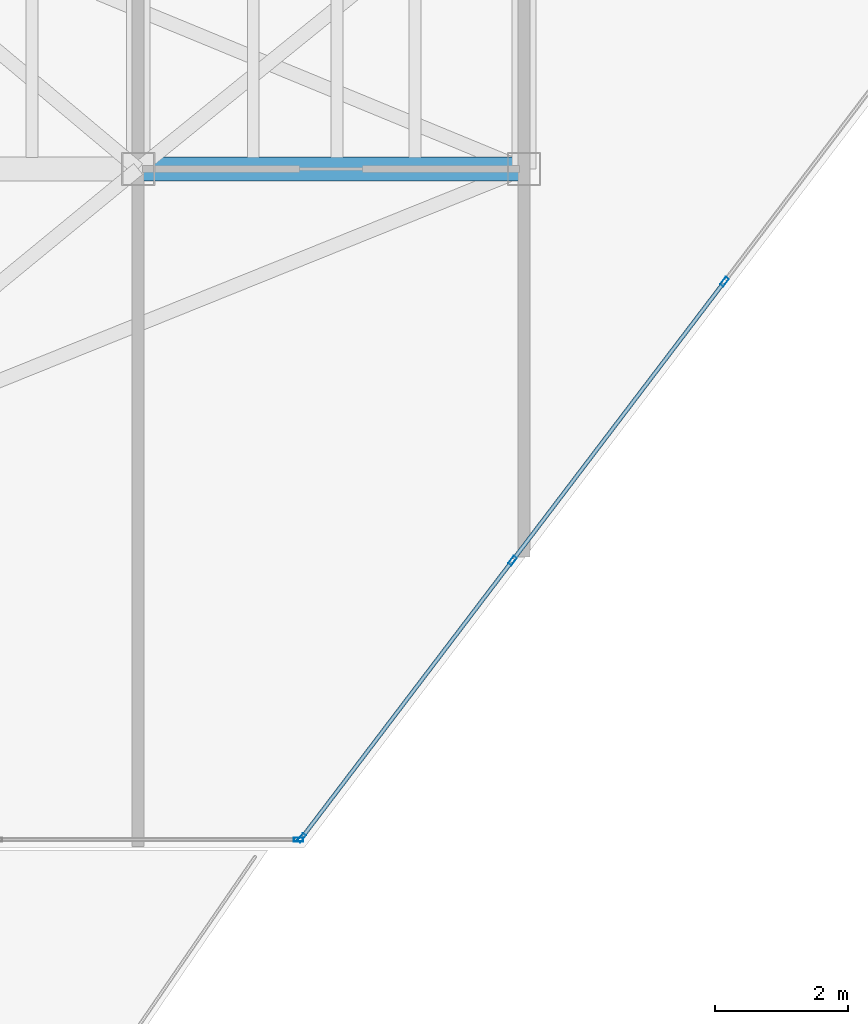
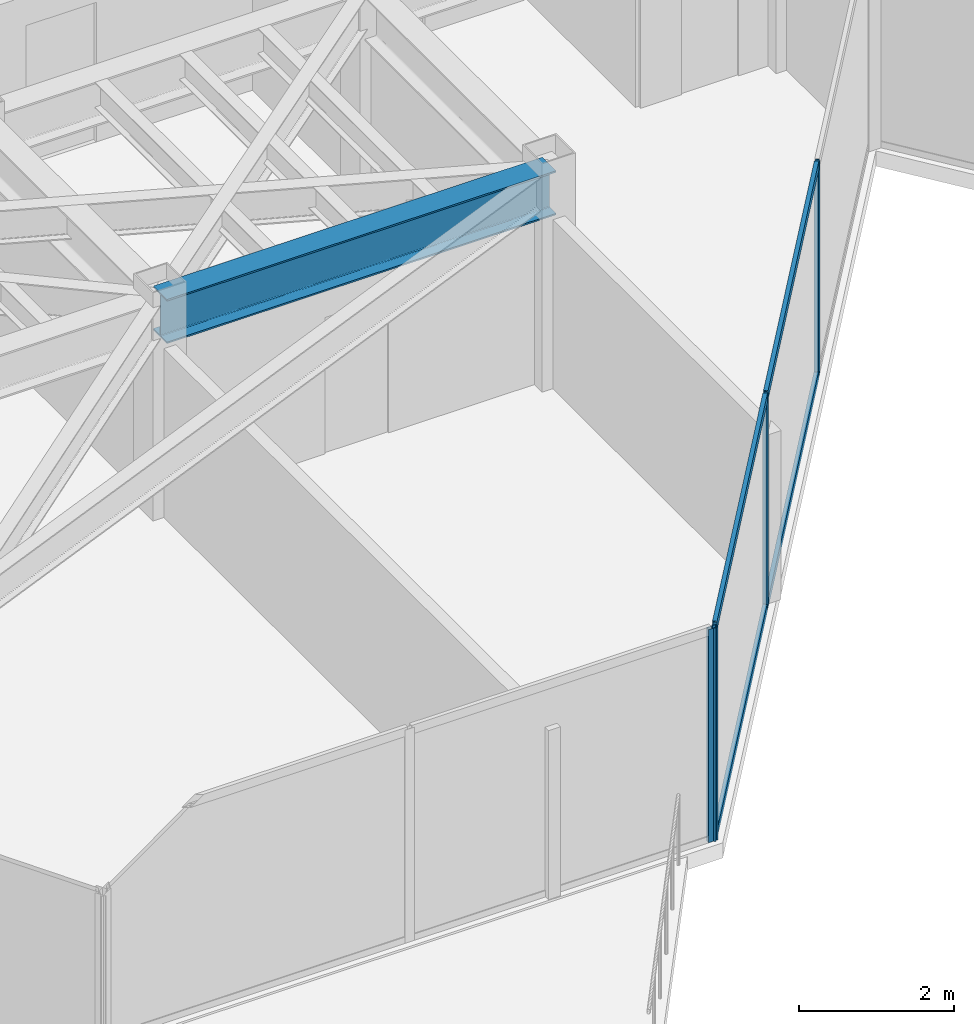
# One storey, part 4 of 21: 8 members, 1 beam, 2 elements without a shape of their own.
"""IFC4 building model written with IfcOpenShell, lengths in metres."""

from ifc_helpers import new_model, si_unit, direction, frame, origin, origin_2d, place, context, subcontext, project, spatial, hollow_rectangle, i_section, extrude, material, layer, layer_set, material_profile, profile_set, type_object, element, aggregate, save


model = new_model("IFC4")

# Units and contexts
model_context = context("Model", 3, precision=1e-05, world=origin(), true_north=direction((0.0, 1.0)))
body_context = subcontext(model_context, "Body", "Model", "MODEL_VIEW")
ifc_project = project(units=[si_unit("LENGTHUNIT", "METRE"), si_unit("AREAUNIT", "SQUARE_METRE"), si_unit("VOLUMEUNIT", "CUBIC_METRE"), si_unit("PLANEANGLEUNIT", "RADIAN"), si_unit("MASSUNIT", "GRAM", prefix="KILO")], contexts=[model_context])

# Site, building, storey
site_placement = place(None, origin())
site = spatial("IfcSite", under=ifc_project, at=site_placement, CompositionType="ELEMENT")
building_placement = place(site_placement, origin())
building = spatial("IfcBuilding", under=site, at=building_placement, Name="Kravanh Interchange Tower", CompositionType="ELEMENT")
storey_placement = place(building_placement, frame((0.0, 0.0, 231.0)))
storey = spatial("IfcBuildingStorey", under=building, at=storey_placement, Name="L55", CompositionType="ELEMENT", Elevation=231.0)

# Curtain wall, members
ifc_material_1 = material(Name="Anodised Bronze Aluminium", Category="aluminium")
ifc_layer = layer(ifc_material_1, 0.179931640625)
ifc_layer_set = layer_set([ifc_layer], Name="Unitised Curtain Wall System CW-HTL Luxury Hotel")
curtain_wall_type = type_object("IfcCurtainWallType", Name="Unitised Curtain Wall System CW-HTL Luxury Hotel", PredefinedType="NOTDEFINED", material=ifc_layer_set)
curtain_wall_1_placement = place(storey_placement, origin())
curtain_wall_1 = element("IfcCurtainWall", 1, at=curtain_wall_1_placement, inside=storey, type_object=curtain_wall_type, Name="L55 Unitised Curtain Wall CW-L55-05", PredefinedType="NOTDEFINED")
ifc_material_2 = material(Name="Anodised Bronze Aluminium", Category="aluminium")
ifc_material_profile_1 = material_profile(ifc_material_2, hollow_rectangle(XDim=0.06005859375, YDim=0.139892578125, WallThickness=0.00390625, at=origin_2d()), Name="ALU60X140X4")
ifc_profile_set_1 = profile_set([ifc_material_profile_1], Name="Anodised Bronze Aluminium")
member_type_1 = type_object("IfcMemberType", Name="Curtain Wall Mullion ALU60X140X4 Bronze", PredefinedType="MULLION", material=ifc_profile_set_1)
member_1_placement = place(storey_placement, frame((41.613525390625, 25.10546875, 0.0), z_axis=(0.0, 0.0, 1.0), x_axis=(0.79616243806, -0.605082946564, 0.0)))
member_1 = element("IfcMember", 2, at=member_1_placement, type_object=member_type_1, Name="CW-HTL mullion 2", PredefinedType="MULLION", context=body_context, shape_type="SweptSolid", body=[
    extrude(hollow_rectangle(XDim=0.06005859375, YDim=0.139892578125, WallThickness=0.00390625, at=origin_2d()), origin(), (0.0, 0.0, 1.0), 3.360107421875),
])
member_2_placement = place(storey_placement, frame((38.427001953125, 20.912841796875, 0.0), z_axis=(0.0, 0.0, 1.0), x_axis=(0.79616243806, -0.605082946564, 0.0)))
member_2 = element("IfcMember", 3, at=member_2_placement, type_object=member_type_1, Name="CW-HTL mullion 3", PredefinedType="MULLION", context=body_context, shape_type="SweptSolid", body=[
    extrude(hollow_rectangle(XDim=0.06005859375, YDim=0.139892578125, WallThickness=0.00390625, at=origin_2d()), origin(), (0.0, 0.0, 1.0), 3.360107421875),
])
member_3_placement = place(storey_placement, frame((35.258544921875, 16.743896484375, 0.0), z_axis=(0.0, 0.0, 1.0), x_axis=(0.79616243806, -0.605082946564, 0.0)))
member_3 = element("IfcMember", 4, at=member_3_placement, type_object=member_type_1, Name="CW-HTL mullion 4", PredefinedType="MULLION", context=body_context, shape_type="SweptSolid", body=[
    extrude(hollow_rectangle(XDim=0.06005859375, YDim=0.139892578125, WallThickness=0.00390625, at=origin_2d()), origin(), (0.0, 0.0, 1.0), 3.360107421875),
])

# Curtain wall, member
curtain_wall_2_placement = place(storey_placement, origin())
curtain_wall_2 = element("IfcCurtainWall", 5, at=curtain_wall_2_placement, inside=storey, type_object=curtain_wall_type, Name="L55 Unitised Curtain Wall CW-L55-06", PredefinedType="NOTDEFINED")
member_4_placement = place(storey_placement, frame((35.21044921875, 16.719970703125, 0.0), z_axis=(0.0, 0.0, 1.0), x_axis=(0.0, -1.0, 0.0)))
member_4 = element("IfcMember", 6, at=member_4_placement, type_object=member_type_1, Name="CW-HTL mullion 1", PredefinedType="MULLION", context=body_context, shape_type="SweptSolid", body=[
    extrude(hollow_rectangle(XDim=0.06005859375, YDim=0.139892578125, WallThickness=0.00390625, at=origin_2d()), origin(), (0.0, 0.0, 1.0), 3.360107421875),
])
aggregate(curtain_wall_2, [member_4])

# Member
ifc_material_3 = material(Name="Anodised Bronze Aluminium", Category="aluminium")
ifc_material_profile_2 = material_profile(ifc_material_3, hollow_rectangle(XDim=0.06005859375, YDim=0.139892578125, WallThickness=0.00390625, at=origin_2d()), Name="ALU60X140X4")
ifc_profile_set_2 = profile_set([ifc_material_profile_2], Name="Anodised Bronze Aluminium")
member_type_2 = type_object("IfcMemberType", Name="Curtain Wall Transom ALU60X140X4 Bronze", PredefinedType="USERDEFINED", material=ifc_profile_set_2)
member_5_placement = place(storey_placement, frame((41.595458984375, 25.08154296875, 0.030029296875), z_axis=(-0.605127259975, -0.79612875795, 0.0), x_axis=(0.79612875795, -0.605127259975, 0.0)))
member_5 = element("IfcMember", 7, at=member_5_placement, type_object=member_type_2, Name="CW-HTL transom 2.1", ObjectType="TRANSOM", PredefinedType="USERDEFINED", context=body_context, shape_type="SweptSolid", body=[
    extrude(hollow_rectangle(XDim=0.06005859375, YDim=0.139892578125, WallThickness=0.00390625, at=origin_2d()), origin(), (0.0, 0.0, 1.0), 5.2060546875),
])

member_6_placement = place(storey_placement, frame((41.595458984375, 25.08154296875, 3.330078125), z_axis=(-0.605127259975, -0.79612875795, 0.0), x_axis=(0.79612875795, -0.605127259975, 0.0)))
member_6 = element("IfcMember", 8, at=member_6_placement, type_object=member_type_2, Name="CW-HTL transom 2.2", ObjectType="TRANSOM", PredefinedType="USERDEFINED", context=body_context, shape_type="SweptSolid", body=[
    extrude(hollow_rectangle(XDim=0.06005859375, YDim=0.139892578125, WallThickness=0.00390625, at=origin_2d()), origin(), (0.0, 0.0, 1.0), 5.2060546875),
])

member_7_placement = place(storey_placement, frame((38.408935546875, 20.888916015625, 0.030029296875), z_axis=(-0.605089246946, -0.796157649734, 0.0), x_axis=(0.796157649734, -0.605089246946, 0.0)))
member_7 = element("IfcMember", 9, at=member_7_placement, type_object=member_type_2, Name="CW-HTL transom 3.1", ObjectType="TRANSOM", PredefinedType="USERDEFINED", context=body_context, shape_type="SweptSolid", body=[
    extrude(hollow_rectangle(XDim=0.06005859375, YDim=0.139892578125, WallThickness=0.00390625, at=origin_2d()), origin(), (0.0, 0.0, 1.0), 5.17626953125),
])

member_8_placement = place(storey_placement, frame((38.408935546875, 20.888916015625, 3.330078125), z_axis=(-0.605089246946, -0.796157649734, 0.0), x_axis=(0.796157649734, -0.605089246946, 0.0)))
member_8 = element("IfcMember", 10, at=member_8_placement, type_object=member_type_2, Name="CW-HTL transom 3.2", ObjectType="TRANSOM", PredefinedType="USERDEFINED", context=body_context, shape_type="SweptSolid", body=[
    extrude(hollow_rectangle(XDim=0.06005859375, YDim=0.139892578125, WallThickness=0.00390625, at=origin_2d()), origin(), (0.0, 0.0, 1.0), 5.17626953125),
])

aggregate(curtain_wall_1, [member_1, member_2, member_3, member_5, member_6, member_7, member_8])

# Beam
ifc_material_4 = material(Name="Structural Steel S355", Category="steel")
ifc_material_profile_3 = material_profile(ifc_material_4, i_section(OverallWidth=0.35498046875, OverallDepth=0.696044921875, WebThickness=0.015380859375, FlangeThickness=0.02490234375, FilletRadius=0.02392578125, at=origin_2d()), Name="W27X146")
ifc_profile_set_3 = profile_set([ifc_material_profile_3], Name="Structural Steel S355")
beam_type = type_object("IfcBeamType", Name="Floor Beam W27X146 Structural Steel S355", PredefinedType="BEAM", material=ifc_profile_set_3)
beam_placement = place(storey_placement, frame((38.60009765625, 26.800048828125, 3.011962890625), z_axis=(-1.0, 0.0, 0.0), x_axis=(0.0, -1.0, 0.0)))
element("IfcBeam", 11, at=beam_placement, inside=storey, type_object=beam_type, Name="L55 Primary Floor Girder 29", PredefinedType="BEAM", context=body_context, shape_type="SweptSolid", body=[
    extrude(i_section(OverallWidth=0.35498046875, OverallDepth=0.696044921875, WebThickness=0.015380859375, FlangeThickness=0.02490234375, FilletRadius=0.02392578125, at=origin_2d()), origin(), (0.0, 0.0, 1.0), 5.800048828125),
])

save(model, "model.ifc")
